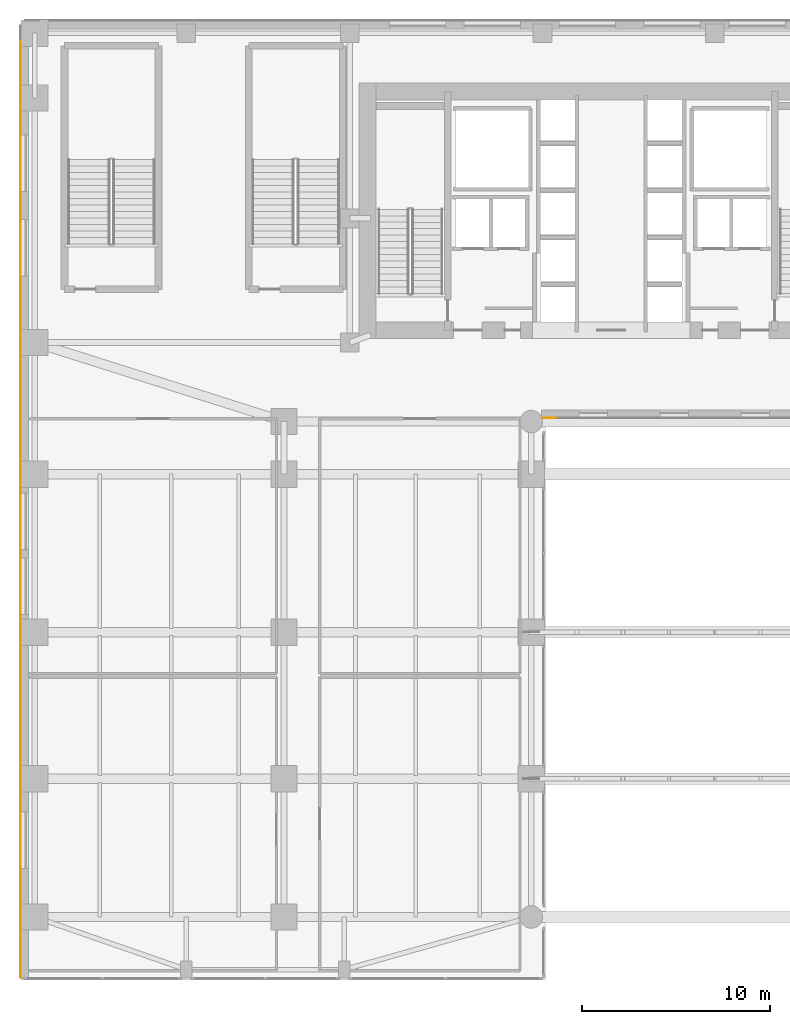
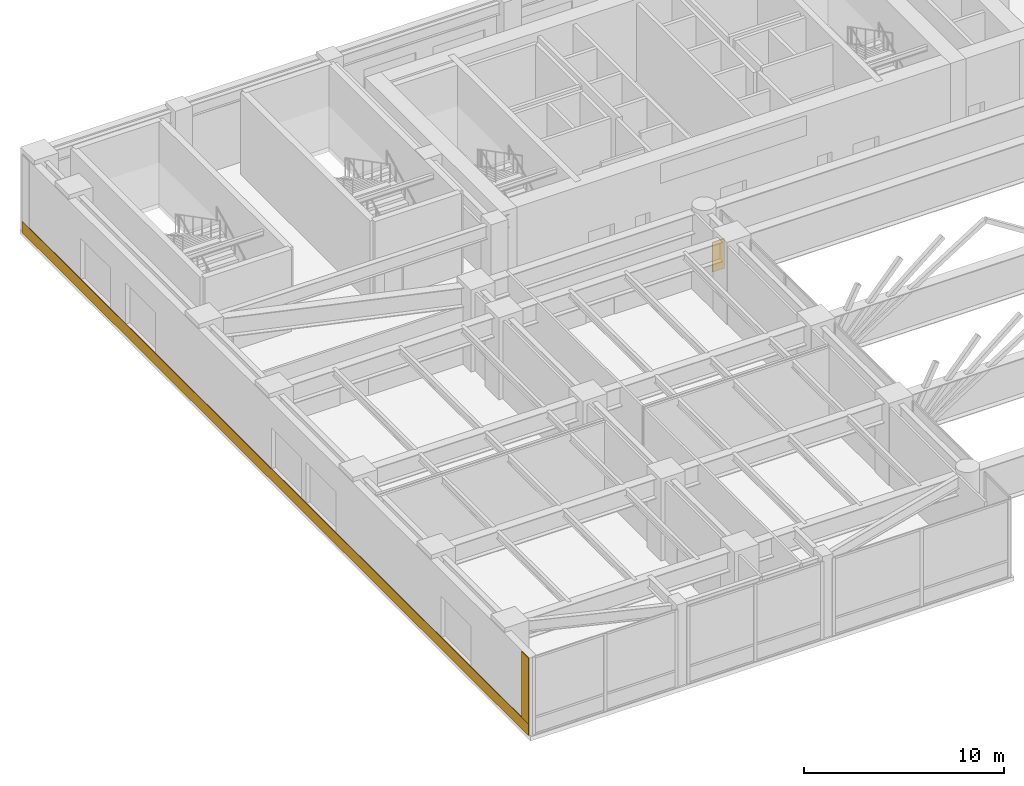
# One storey, part 32 of 39: 3 coverings.
"""IFC4 building model written with IfcOpenShell, lengths in metres."""

from ifc_helpers import new_model, si_unit, direction, frame, origin, place, context, subcontext, project, spatial, polyline, outline, extrude, material, layer, layer_set, type_object, element, save


model = new_model("IFC4")

# Units and contexts
model_context = context("Model", 3, precision=1e-05, world=origin(), true_north=direction((0.0, 1.0)))
body_context = subcontext(model_context, "Body", "Model", "MODEL_VIEW")
ifc_project = project(units=[si_unit("LENGTHUNIT", "METRE"), si_unit("AREAUNIT", "SQUARE_METRE"), si_unit("VOLUMEUNIT", "CUBIC_METRE"), si_unit("PLANEANGLEUNIT", "RADIAN"), si_unit("MASSUNIT", "GRAM", prefix="KILO")], contexts=[model_context])

# Site, building, storey
site_placement = place(None, origin())
site = spatial("IfcSite", under=ifc_project, at=site_placement, CompositionType="ELEMENT")
building_placement = place(site_placement, origin())
building = spatial("IfcBuilding", under=site, at=building_placement, Name="Tolvann Quenvar Hotel", CompositionType="ELEMENT")
storey_placement = place(building_placement, frame((0.0, 0.0, 11.0)))
storey = spatial("IfcBuildingStorey", under=building, at=storey_placement, Name="L02", CompositionType="ELEMENT", Elevation=11.0)

# Coverings
ifc_material_1 = material(Name="Kiln-fired red architectural face brick cladding", Category="masonry")
ifc_layer_1 = layer(ifc_material_1, 0.0400390625)
ifc_layer_set_1 = layer_set([ifc_layer_1], Name="Kiln-fired red architectural face brick cladding")
covering_type_1 = type_object("IfcCoveringType", Name="COV_CLAD_BRICK_40", PredefinedType="CLADDING", material=ifc_layer_set_1)
covering_1_placement = place(storey_placement, frame((0.0, 0.0, 0.5126953125)))
element("IfcCovering", 1, at=covering_1_placement, inside=storey, type_object=covering_type_1, Name="Brick Pier Cladding (L02-E02-P1)", PredefinedType="CLADDING", context=body_context, shape_type="SweptSolid", body=[
    extrude(outline(polyline([(19.340087890625, 27.39990234375), (20.0400390625, 27.39990234375), (20.0400390625, 27.360107421875), (19.340087890625, 27.360107421875), (19.340087890625, 27.39990234375)])), origin(), (0.0, 0.0, 1.0), 1.8173828125),
])
covering_2_placement = place(storey_placement, frame((0.0, 0.0, 0.699951171875)))
element("IfcCovering", 2, at=covering_2_placement, inside=storey, type_object=covering_type_1, Name="Brick Pier Cladding (L02-E07-P2)", PredefinedType="CLADDING", context=body_context, shape_type="SweptSolid", body=[
    extrude(outline(polyline([(-8.39990234375, -1.659912109375), (-8.39990234375, -2.360107421875), (-8.43994140625, -2.360107421875), (-8.43994140625, -1.659912109375), (-8.39990234375, -1.659912109375)])), origin(), (0.0, 0.0, 1.0), 4.0400390625),
])
ifc_material_2 = material(Name="Moulded buff architectural terracotta spandrel cladding", Category="masonry")
ifc_layer_2 = layer(ifc_material_2, 0.0400390625)
ifc_layer_set_2 = layer_set([ifc_layer_2], Name="Moulded buff architectural terracotta spandrel cladding")
covering_type_2 = type_object("IfcCoveringType", Name="COV_CLAD_TERRA_40", PredefinedType="CLADDING", material=ifc_layer_set_2)
covering_3_placement = place(storey_placement, origin())
element("IfcCovering", 3, at=covering_3_placement, inside=storey, type_object=covering_type_2, Name="Terracotta Spandrel Cladding (L02-E07)", PredefinedType="CLADDING", context=body_context, shape_type="SweptSolid", body=[
    extrude(outline(polyline([(-8.39990234375, 48.25), (-8.39990234375, -2.3701171875), (-8.43994140625, -2.3701171875), (-8.43994140625, 48.25), (-8.39990234375, 48.25)])), origin(), (0.0, 0.0, 1.0), 0.699951171875),
])

save(model, "model.ifc")
